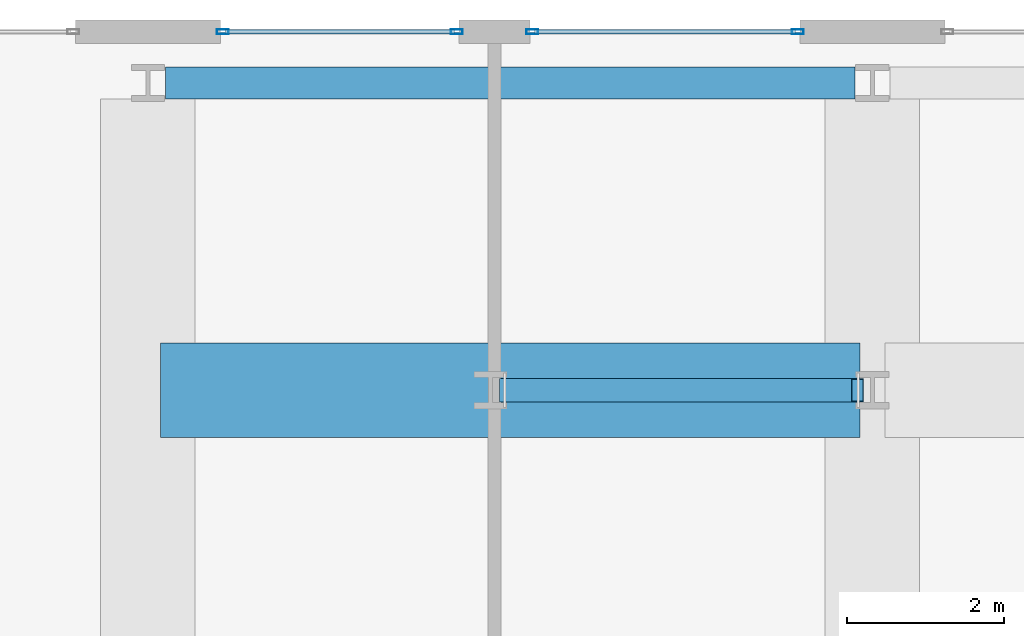
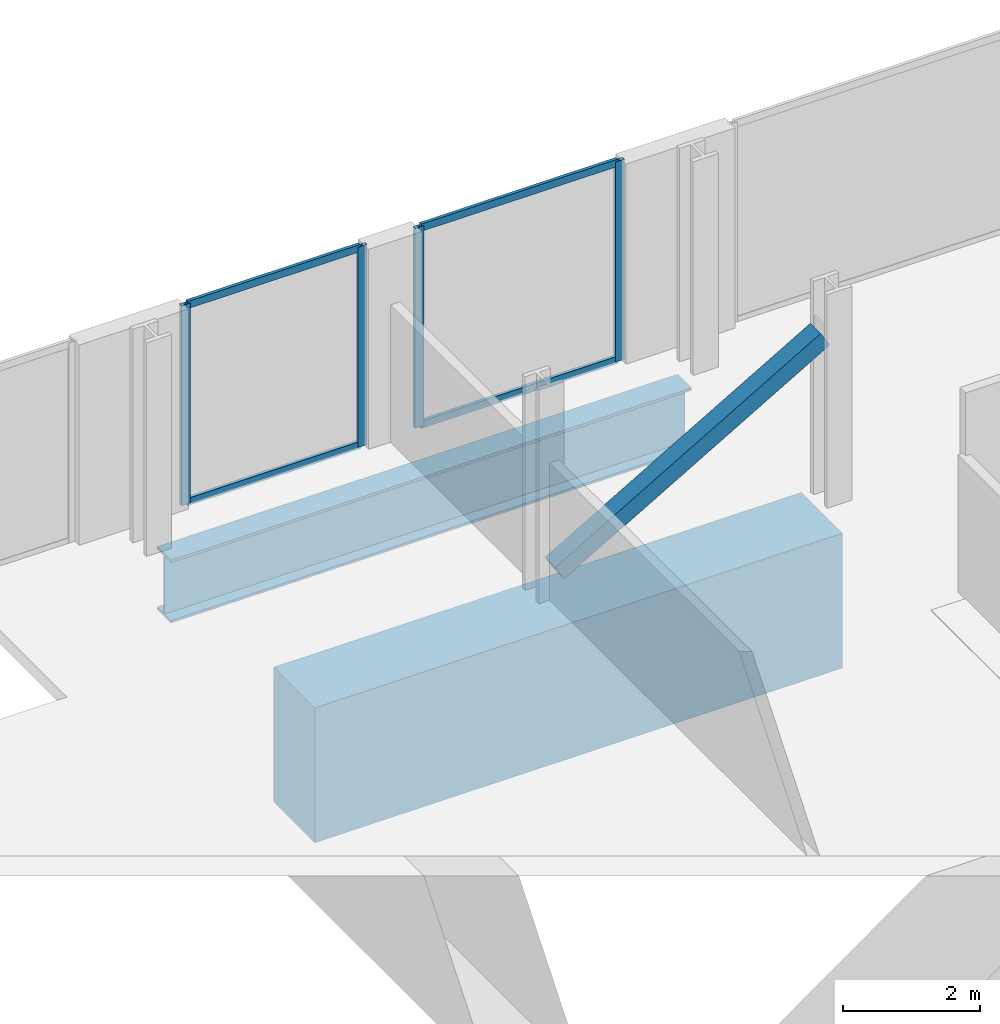
# One storey, part 17 of 27: 9 members, 2 beams, 2 elements without a shape of their own.
"""IFC4 building model written with IfcOpenShell, lengths in metres."""

import ifcopenshell
import ifcopenshell.guid

model = None  # the IFC model being written
_history = None  # IfcOwnerHistory: only IFC2X3 demands one
_inside = {}  # id of a spatial element -> (the spatial element, [elements in it])
_under = {}  # id of a project, library or spatial element -> (it, [spatial elements below it])
_declared = {}  # id of a project -> (the project, [libraries it declares])
_typed = {}  # id of a type object -> (the type object, [elements of that type])
_made_of = {}  # id of a material, layer set ... -> (it, [elements and type objects made of it])


def new_model(schema):
    """Start an empty IFC model of exactly this schema.

    Asked for "IFC4X3", IfcOpenShell would pick the latest addendum, in which some entities
    have other attributes; the version numbers below select the first issue.
    IFC2X3 requires an IfcOwnerHistory on every rooted entity: one is made here for all.
    """
    global model, _history
    if schema == "IFC4X3":
        model = ifcopenshell.file(schema_version=(4, 3, 0, 0))
    else:
        model = ifcopenshell.file(schema=schema)
    _inside.clear()
    _under.clear()
    _declared.clear()
    _typed.clear()
    _made_of.clear()
    _history = None
    if model.schema == "IFC2X3":
        org = make("IfcOrganization", Name="unknown")
        user = make(
            "IfcPersonAndOrganization",
            ThePerson=make("IfcPerson", FamilyName="unknown"),
            TheOrganization=org,
        )
        app = make(
            "IfcApplication",
            ApplicationDeveloper=org,
            Version="unknown",
            ApplicationFullName="unknown",
            ApplicationIdentifier="unknown",
        )
        _history = make(
            "IfcOwnerHistory",
            OwningUser=user,
            OwningApplication=app,
            ChangeAction="ADDED",
            CreationDate=0,
        )
    return model


def make(cls, **values):
    """One entity of the class cls with the attributes given. An attribute that is None is left unset."""
    return model.create_entity(
        cls, **{name: value for name, value in values.items() if value is not None}
    )


def rooted(cls, **values):
    """An entity with a GlobalId (a new one), such as an element, a storey or a relation."""
    return make(cls, GlobalId=ifcopenshell.guid.new(), OwnerHistory=_history, **values)


def si_unit(unit_type, name, prefix=None):
    """IfcSIUnit, for example si_unit("LENGTHUNIT", "METRE", prefix="MILLI")."""
    return make("IfcSIUnit", UnitType=unit_type, Prefix=prefix, Name=name)


def assignment(units):
    """IfcUnitAssignment: the units of a project."""
    return None if units is None else make("IfcUnitAssignment", Units=units)


def point(xyz):
    """IfcCartesianPoint."""
    return None if xyz is None else make("IfcCartesianPoint", Coordinates=xyz)


def direction(xyz):
    """IfcDirection."""
    return None if xyz is None else make("IfcDirection", DirectionRatios=xyz)


def frame(location, z_axis=None, x_axis=None):
    """IfcAxis2Placement3D, a coordinate frame: its origin and axes. An axis left out is left unset."""
    return make(
        "IfcAxis2Placement3D",
        Location=point(location),
        Axis=direction(z_axis),
        RefDirection=direction(x_axis),
    )


def frame_2d(location, x_axis=None):
    """IfcAxis2Placement2D, a coordinate frame in the plane: its origin and x axis."""
    return make(
        "IfcAxis2Placement2D", Location=point(location), RefDirection=direction(x_axis)
    )


def origin():
    """The frame at (0, 0, 0) with its axes left unset."""
    return frame((0.0, 0.0, 0.0))


def origin_2d():
    """The frame at (0, 0) in the plane with its x axis left unset."""
    return frame_2d((0.0, 0.0))


def place(relative_to, where):
    """IfcLocalPlacement: puts the frame where relative to a parent placement (None: the world)."""
    return make(
        "IfcLocalPlacement", PlacementRelTo=relative_to, RelativePlacement=where
    )


def context(
    kind, dimensions, precision=None, world=None, true_north=None, identifier=None
):
    """IfcGeometricRepresentationContext, for example the 3D "Model" context."""
    return make(
        "IfcGeometricRepresentationContext",
        ContextIdentifier=identifier,
        ContextType=kind,
        CoordinateSpaceDimension=dimensions,
        Precision=precision,
        WorldCoordinateSystem=world,
        TrueNorth=true_north,
    )


def subcontext(parent, identifier, kind, view, scale=None):
    """IfcGeometricRepresentationSubContext, for example "Body" below "Model"."""
    return make(
        "IfcGeometricRepresentationSubContext",
        ContextIdentifier=identifier,
        ContextType=kind,
        ParentContext=parent,
        TargetScale=scale,
        TargetView=view,
    )


def project(units=None, contexts=None):
    """IfcProject with its units and contexts."""
    return rooted(
        "IfcProject",
        Name="project",
        RepresentationContexts=contexts,
        UnitsInContext=assignment(units),
    )


def spatial(cls, under=None, at=None, **own):
    """A site, building, storey or space (cls), placed at a placement, below another one or the project."""
    s = rooted(cls, ObjectPlacement=at, **own)
    if under is not None:
        _under.setdefault(under.id(), (under, []))[1].append(s)
    return s


def profile(cls, at=None, kind="AREA", **sizes):
    """A parametric profile (cls). Its sizes go by their IFC names, for example OverallWidth=200.0."""
    return make(cls, ProfileType=kind, Position=at, **sizes)


def rectangle(**sizes):
    """IfcRectangleProfileDef."""
    return profile("IfcRectangleProfileDef", **sizes)


def hollow_rectangle(**sizes):
    """IfcRectangleHollowProfileDef."""
    return profile("IfcRectangleHollowProfileDef", **sizes)


def i_section(**sizes):
    """IfcIShapeProfileDef."""
    return profile("IfcIShapeProfileDef", **sizes)


def extrude(swept, where, along, depth):
    """IfcExtrudedAreaSolid: the profile swept, set in the frame where, extruded along a direction by depth."""
    return make(
        "IfcExtrudedAreaSolid",
        SweptArea=swept,
        Position=where,
        ExtrudedDirection=direction(along),
        Depth=depth,
    )


def shape(context_of_items, identifier, shape_type, items):
    """IfcShapeRepresentation: the items that make up one representation, for example the "Body"."""
    return make(
        "IfcShapeRepresentation",
        ContextOfItems=context_of_items,
        RepresentationIdentifier=identifier,
        RepresentationType=shape_type,
        Items=items,
    )


def material(Name=None, Category=None):
    """IfcMaterial."""
    return make("IfcMaterial", Name=Name, Category=Category)


def layer(
    of_material, thickness, ventilated=None, Name=None, Category=None, Priority=None
):
    """IfcMaterialLayer: one layer of a wall or slab, of a material (None: an air gap)."""
    return make(
        "IfcMaterialLayer",
        Material=of_material,
        LayerThickness=thickness,
        IsVentilated=ventilated,
        Name=Name,
        Category=Category,
        Priority=Priority,
    )


def layer_set(layers, Name=None):
    """IfcMaterialLayerSet."""
    return make("IfcMaterialLayerSet", MaterialLayers=layers, LayerSetName=Name)


def material_profile(
    of_material, cross_section, Name=None, Category=None, Priority=None
):
    """IfcMaterialProfile: a cross section and its material."""
    return make(
        "IfcMaterialProfile",
        Name=Name,
        Material=of_material,
        Profile=cross_section,
        Priority=Priority,
        Category=Category,
    )


def profile_set(profiles, Name=None, composite=None):
    """IfcMaterialProfileSet."""
    return make(
        "IfcMaterialProfileSet",
        Name=Name,
        MaterialProfiles=profiles,
        CompositeProfile=composite,
    )


def made_of(thing, what):
    """Note that an element or type object is made of a material, layer set ...; save() writes the relation."""
    if what is not None:
        _made_of.setdefault(what.id(), (what, []))[1].append(thing)
    return thing


def type_object(cls, material=None, **own):
    """A type object (cls), such as IfcWallType, which elements share."""
    return made_of(rooted(cls, **own), material)


def element(
    cls,
    number,
    at=None,
    inside=None,
    cuts=None,
    type_object=None,
    material=None,
    context=None,
    identifier="Body",
    shape_type=None,
    held_by="IfcProductDefinitionShape",
    body=None,
    shapes=None,
    **own,
):
    """One element of the class cls, such as IfcWall. Its Tag is "e" and its number.

    at: its placement. inside: the storey or other place that contains it. cuts: it is an
    opening in that element (IfcRelVoidsElement). A single representation is given by context,
    identifier, shape_type and body (its items); several are given by shapes. held_by: the class
    of the entity that holds the representations. save() writes the other relations.
    """
    e = rooted(cls, Tag="e%d" % number, ObjectPlacement=at, **own)
    if body is not None:
        shapes = [shape(context, identifier, shape_type, body)]
    if shapes is not None:
        e.Representation = make(held_by, Representations=shapes)
    if inside is not None:
        _inside.setdefault(inside.id(), (inside, []))[1].append(e)
    if cuts is not None:
        rooted(
            "IfcRelVoidsElement", RelatingBuildingElement=cuts, RelatedOpeningElement=e
        )
    if type_object is not None:
        _typed.setdefault(type_object.id(), (type_object, []))[1].append(e)
    return made_of(e, material)


def aggregate(whole, parts):
    """IfcRelAggregates: a whole, such as a stair, and the parts it consists of."""
    return rooted("IfcRelAggregates", RelatingObject=whole, RelatedObjects=parts)


def save(model, path):
    """Write the relations noted so far, then the file.

    IfcRelAggregates (storeys below a building ...), IfcRelContainedInSpatialStructure (elements
    in a storey), IfcRelDefinesByType, IfcRelAssociatesMaterial and IfcRelDeclares: one each for
    every whole, place, type object, material and project.
    """
    for whole, parts in _under.values():
        aggregate(whole, parts)
    for where, things in _inside.values():
        rooted(
            "IfcRelContainedInSpatialStructure",
            RelatedElements=things,
            RelatingStructure=where,
        )
    for kind, things in _typed.values():
        rooted("IfcRelDefinesByType", RelatedObjects=things, RelatingType=kind)
    for what, things in _made_of.values():
        rooted("IfcRelAssociatesMaterial", RelatedObjects=things, RelatingMaterial=what)
    for by, libraries in _declared.values():
        rooted("IfcRelDeclares", RelatingContext=by, RelatedDefinitions=libraries)
    model.write(path)


model = new_model("IFC4")

# Units and contexts
model_context = context("Model", 3, precision=1e-05, world=origin(), true_north=direction((0.0, 1.0)))
body_context = subcontext(model_context, "Body", "Model", "MODEL_VIEW")
ifc_project = project(units=[si_unit("LENGTHUNIT", "METRE"), si_unit("AREAUNIT", "SQUARE_METRE"), si_unit("VOLUMEUNIT", "CUBIC_METRE"), si_unit("PLANEANGLEUNIT", "RADIAN"), si_unit("MASSUNIT", "GRAM", prefix="KILO")], contexts=[model_context])

# Site, building, storey
site_placement = place(None, origin())
site = spatial("IfcSite", under=ifc_project, at=site_placement, CompositionType="ELEMENT")
building_placement = place(site_placement, origin())
building = spatial("IfcBuilding", under=site, at=building_placement, Name="Zuhayl Quay Hotel", CompositionType="ELEMENT")
storey_placement = place(building_placement, frame((0.0, 0.0, 297.25)))
storey = spatial("IfcBuildingStorey", under=building, at=storey_placement, Name="Crown 1", CompositionType="ELEMENT", Elevation=297.25)

# Beams
ifc_material_1 = material(Name="Concrete C60/75", Category="concrete")
ifc_material_profile_1 = material_profile(ifc_material_1, rectangle(XDim=1.199951171875, YDim=2.39990234375, at=origin_2d()), Name="RC1200X2400")
ifc_profile_set_1 = profile_set([ifc_material_profile_1], Name="Concrete C60/75")
beam_type_1 = type_object("IfcBeamType", Name="BM_TG0_RC2400", PredefinedType="BEAM", material=ifc_profile_set_1)
beam_1_placement = place(storey_placement, frame((-13.639892578125, 34.449951171875, -1.43994140625), z_axis=(1.0, 0.0, 0.0), x_axis=(0.0, 1.0, 0.0)))
element("IfcBeam", 1, at=beam_1_placement, inside=storey, type_object=beam_type_1, Name="Crown 1 Floor Beam CR_EW_1_2_1", PredefinedType="BEAM", context=body_context, shape_type="SweptSolid", body=[
    extrude(rectangle(XDim=1.199951171875, YDim=2.39990234375, at=origin_2d()), origin(), (0.0, 0.0, 1.0), 8.8798828125),
])
ifc_material_2 = material(Name="Steel ASTM A913 Grade 65", Category="steel")
ifc_material_profile_2 = material_profile(ifc_material_2, i_section(OverallWidth=0.404052734375, OverallDepth=1.117919921875, WebThickness=0.026123046875, FlangeThickness=0.044921875, at=origin_2d()), Name="W44X335")
ifc_profile_set_2 = profile_set([ifc_material_profile_2], Name="Steel ASTM A913 Grade 65")
beam_type_2 = type_object("IfcBeamType", Name="BM_TG1_W44X335", PredefinedType="BEAM", material=ifc_profile_set_2)
beam_2_placement = place(storey_placement, frame((-13.580078125, 38.35009765625, -0.799072265625), z_axis=(1.0, 0.0, 0.0), x_axis=(0.0, 1.0, 0.0)))
element("IfcBeam", 2, at=beam_2_placement, inside=storey, type_object=beam_type_2, Name="Crown 1 Floor Beam CR_N_W_1", PredefinedType="BEAM", context=body_context, shape_type="SweptSolid", body=[
    extrude(i_section(OverallWidth=0.404052734375, OverallDepth=1.117919921875, WebThickness=0.026123046875, FlangeThickness=0.044921875, at=origin_2d()), origin(), (0.0, 0.0, 1.0), 8.760009765625),
])

# Member
ifc_material_3 = material(Name="Steel ASTM A500 Grade C", Category="steel")
ifc_material_profile_3 = material_profile(ifc_material_3, hollow_rectangle(XDim=0.300048828125, YDim=0.300048828125, WallThickness=0.012451171875, at=origin_2d()), Name="HSS300X300X12")
ifc_profile_set_3 = profile_set([ifc_material_profile_3], Name="Steel ASTM A500 Grade C")
member_type_1 = type_object("IfcMemberType", Name="MB_CR_BRACE_HSS300", PredefinedType="BRACE", material=ifc_profile_set_3)
member_1_placement = place(storey_placement, frame((-9.260009765625, 34.449951171875, 0.35009765625), z_axis=(0.864420343333, 0.0, 0.50276979825), x_axis=(0.0, 1.0, 0.0)))
element("IfcMember", 3, at=member_1_placement, inside=storey, type_object=member_type_1, Name="Crown 1 Crown Lateral Brace CD1", PredefinedType="BRACE", context=body_context, shape_type="SweptSolid", body=[
    extrude(hollow_rectangle(XDim=0.300048828125, YDim=0.300048828125, WallThickness=0.012451171875, at=origin_2d()), origin(), (0.0, 0.0, 1.0), 5.171142578125),
])

# Curtain wall, members
ifc_material_4 = material(Name="Anodised Aluminium 6063-T6", Category="aluminium")
ifc_layer = layer(ifc_material_4, 0.159912109375, Name="Anodised Aluminium 6063-T6", Category="aluminium")
ifc_layer_set = layer_set([ifc_layer], Name="Anodised Aluminium 6063-T6")
curtain_wall_type = type_object("IfcCurtainWallType", Name="CW_SYS_CRN", PredefinedType="USERDEFINED", material=ifc_layer_set)
curtain_wall_1_placement = place(storey_placement, origin())
curtain_wall_1 = element("IfcCurtainWall", 4, at=curtain_wall_1_placement, inside=storey, type_object=curtain_wall_type, Name="Crown 1 Curtain Wall ENV_CR1_E3_CW2", ObjectType="UNITISED CURTAIN WALL", PredefinedType="USERDEFINED")
ifc_material_5 = material(Name="Black-anodised aluminium 6063-T6", Category="aluminium")
ifc_material_profile_4 = material_profile(ifc_material_5, hollow_rectangle(XDim=0.06005859375, YDim=0.14990234375, WallThickness=0.00341796875, at=origin_2d()), Name="ALU150X60")
ifc_profile_set_4 = profile_set([ifc_material_profile_4], Name="Black-anodised aluminium 6063-T6")
member_type_2 = type_object("IfcMemberType", Name="MB_CW_MUL_150", PredefinedType="MULLION", material=ifc_profile_set_4)
member_2_placement = place(storey_placement, frame((-12.85009765625, 39.0, 0.0), z_axis=(0.0, 0.0, 1.0), x_axis=(0.0, 1.0, 0.0)))
member_2 = element("IfcMember", 5, at=member_2_placement, type_object=member_type_2, Name="CW-CRN mullion 1", PredefinedType="MULLION", context=body_context, shape_type="SweptSolid", body=[
    extrude(hollow_rectangle(XDim=0.06005859375, YDim=0.14990234375, WallThickness=0.00341796875, at=origin_2d()), origin(), (0.0, 0.0, 1.0), 3.56005859375),
])
member_3_placement = place(storey_placement, frame((-9.8798828125, 39.0, 0.0), z_axis=(0.0, 0.0, 1.0), x_axis=(0.0, 1.0, 0.0)))
member_3 = element("IfcMember", 6, at=member_3_placement, type_object=member_type_2, Name="CW-CRN mullion 2", PredefinedType="MULLION", context=body_context, shape_type="SweptSolid", body=[
    extrude(hollow_rectangle(XDim=0.06005859375, YDim=0.14990234375, WallThickness=0.00341796875, at=origin_2d()), origin(), (0.0, 0.0, 1.0), 3.56005859375),
])

curtain_wall_2_placement = place(storey_placement, origin())
curtain_wall_2 = element("IfcCurtainWall", 7, at=curtain_wall_2_placement, inside=storey, type_object=curtain_wall_type, Name="Crown 1 Curtain Wall ENV_CR1_E3_CW3", ObjectType="UNITISED CURTAIN WALL", PredefinedType="USERDEFINED")
member_4_placement = place(storey_placement, frame((-8.919921875, 39.0, 0.0), z_axis=(0.0, 0.0, 1.0), x_axis=(0.0, 1.0, 0.0)))
member_4 = element("IfcMember", 8, at=member_4_placement, type_object=member_type_2, Name="CW-CRN mullion 1", PredefinedType="MULLION", context=body_context, shape_type="SweptSolid", body=[
    extrude(hollow_rectangle(XDim=0.06005859375, YDim=0.14990234375, WallThickness=0.00341796875, at=origin_2d()), origin(), (0.0, 0.0, 1.0), 3.56005859375),
])
member_5_placement = place(storey_placement, frame((-5.550048828125, 39.0, 0.0), z_axis=(0.0, 0.0, 1.0), x_axis=(0.0, 1.0, 0.0)))
member_5 = element("IfcMember", 9, at=member_5_placement, type_object=member_type_2, Name="CW-CRN mullion 2", PredefinedType="MULLION", context=body_context, shape_type="SweptSolid", body=[
    extrude(hollow_rectangle(XDim=0.06005859375, YDim=0.14990234375, WallThickness=0.00341796875, at=origin_2d()), origin(), (0.0, 0.0, 1.0), 3.56005859375),
])

# Member
ifc_material_profile_5 = material_profile(ifc_material_5, hollow_rectangle(XDim=0.054931640625, YDim=0.1298828125, WallThickness=0.0029296875, at=origin_2d()), Name="ALU130X55")
ifc_profile_set_5 = profile_set([ifc_material_profile_5], Name="Black-anodised aluminium 6063-T6")
member_type_3 = type_object("IfcMemberType", Name="MB_CW_TRN_130", PredefinedType="USERDEFINED", material=ifc_profile_set_5)
member_6_placement = place(storey_placement, frame((-12.820068359375, 39.0, 0.027587890625), z_axis=(1.0, 0.0, 0.0), x_axis=(0.0, 1.0, 0.0)))
member_6 = element("IfcMember", 10, at=member_6_placement, type_object=member_type_3, Name="CW-CRN transom 1.1", ObjectType="TRANSOM", PredefinedType="USERDEFINED", context=body_context, shape_type="SweptSolid", body=[
    extrude(hollow_rectangle(XDim=0.054931640625, YDim=0.1298828125, WallThickness=0.0029296875, at=origin_2d()), origin(), (0.0, 0.0, 1.0), 2.91015625),
])

member_7_placement = place(storey_placement, frame((-12.820068359375, 39.0, 3.532470703125), z_axis=(1.0, 0.0, 0.0), x_axis=(0.0, 1.0, 0.0)))
member_7 = element("IfcMember", 11, at=member_7_placement, type_object=member_type_3, Name="CW-CRN transom 1.2", ObjectType="TRANSOM", PredefinedType="USERDEFINED", context=body_context, shape_type="SweptSolid", body=[
    extrude(hollow_rectangle(XDim=0.054931640625, YDim=0.1298828125, WallThickness=0.0029296875, at=origin_2d()), origin(), (0.0, 0.0, 1.0), 2.91015625),
])

aggregate(curtain_wall_1, [member_2, member_3, member_6, member_7])

member_8_placement = place(storey_placement, frame((-8.889892578125, 39.0, 0.027587890625), z_axis=(1.0, 0.0, 0.0), x_axis=(0.0, 1.0, 0.0)))
member_8 = element("IfcMember", 12, at=member_8_placement, type_object=member_type_3, Name="CW-CRN transom 1.1", ObjectType="TRANSOM", PredefinedType="USERDEFINED", context=body_context, shape_type="SweptSolid", body=[
    extrude(hollow_rectangle(XDim=0.054931640625, YDim=0.1298828125, WallThickness=0.0029296875, at=origin_2d()), origin(), (0.0, 0.0, 1.0), 3.309814453125),
])

member_9_placement = place(storey_placement, frame((-8.889892578125, 39.0, 3.532470703125), z_axis=(1.0, 0.0, 0.0), x_axis=(0.0, 1.0, 0.0)))
member_9 = element("IfcMember", 13, at=member_9_placement, type_object=member_type_3, Name="CW-CRN transom 1.2", ObjectType="TRANSOM", PredefinedType="USERDEFINED", context=body_context, shape_type="SweptSolid", body=[
    extrude(hollow_rectangle(XDim=0.054931640625, YDim=0.1298828125, WallThickness=0.0029296875, at=origin_2d()), origin(), (0.0, 0.0, 1.0), 3.309814453125),
])

aggregate(curtain_wall_2, [member_4, member_5, member_8, member_9])

save(model, "model.ifc")
